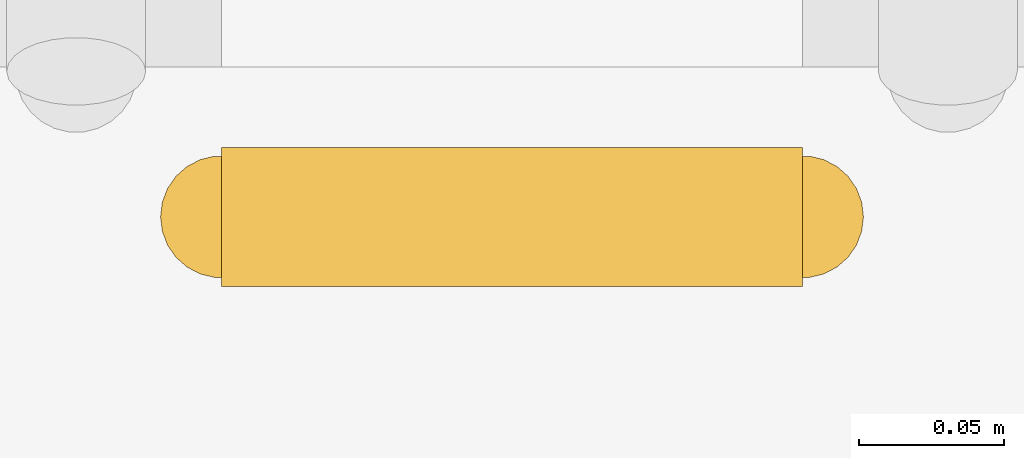
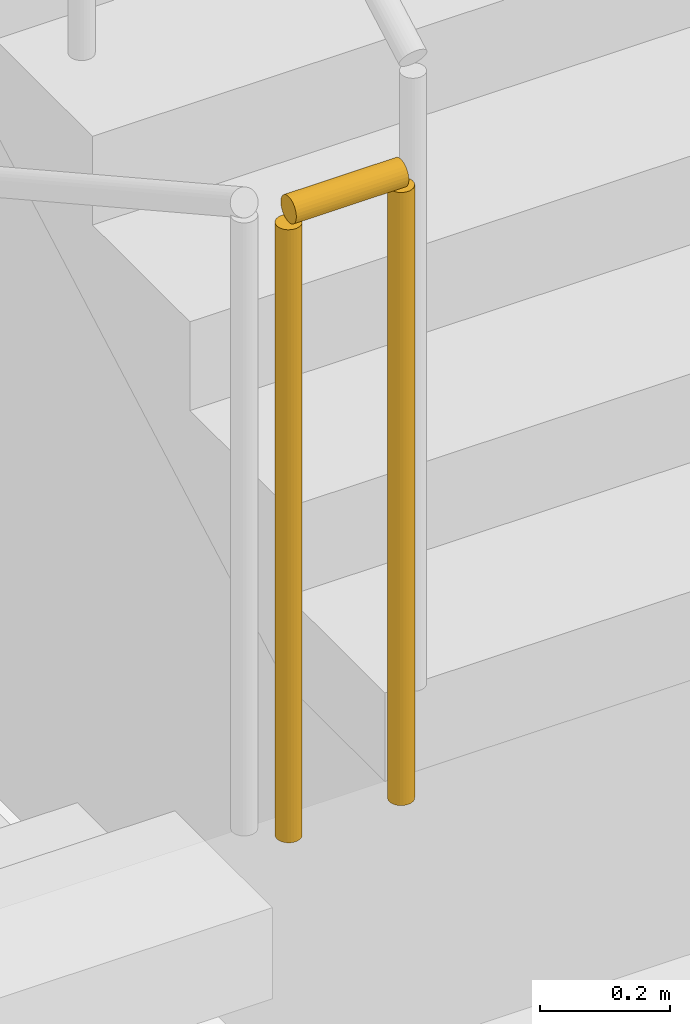
# One storey, part 14 of 20: 1 railing.
"""IFC4 building model written with IfcOpenShell, lengths in metres."""

import ifcopenshell
import ifcopenshell.guid

model = None  # the IFC model being written
_history = None  # IfcOwnerHistory: only IFC2X3 demands one
_inside = {}  # id of a spatial element -> (the spatial element, [elements in it])
_under = {}  # id of a project, library or spatial element -> (it, [spatial elements below it])
_declared = {}  # id of a project -> (the project, [libraries it declares])
_typed = {}  # id of a type object -> (the type object, [elements of that type])
_made_of = {}  # id of a material, layer set ... -> (it, [elements and type objects made of it])


def new_model(schema):
    """Start an empty IFC model of exactly this schema.

    Asked for "IFC4X3", IfcOpenShell would pick the latest addendum, in which some entities
    have other attributes; the version numbers below select the first issue.
    IFC2X3 requires an IfcOwnerHistory on every rooted entity: one is made here for all.
    """
    global model, _history
    if schema == "IFC4X3":
        model = ifcopenshell.file(schema_version=(4, 3, 0, 0))
    else:
        model = ifcopenshell.file(schema=schema)
    _inside.clear()
    _under.clear()
    _declared.clear()
    _typed.clear()
    _made_of.clear()
    _history = None
    if model.schema == "IFC2X3":
        org = make("IfcOrganization", Name="unknown")
        user = make(
            "IfcPersonAndOrganization",
            ThePerson=make("IfcPerson", FamilyName="unknown"),
            TheOrganization=org,
        )
        app = make(
            "IfcApplication",
            ApplicationDeveloper=org,
            Version="unknown",
            ApplicationFullName="unknown",
            ApplicationIdentifier="unknown",
        )
        _history = make(
            "IfcOwnerHistory",
            OwningUser=user,
            OwningApplication=app,
            ChangeAction="ADDED",
            CreationDate=0,
        )
    return model


def make(cls, **values):
    """One entity of the class cls with the attributes given. An attribute that is None is left unset."""
    return model.create_entity(
        cls, **{name: value for name, value in values.items() if value is not None}
    )


def rooted(cls, **values):
    """An entity with a GlobalId (a new one), such as an element, a storey or a relation."""
    return make(cls, GlobalId=ifcopenshell.guid.new(), OwnerHistory=_history, **values)


def si_unit(unit_type, name, prefix=None):
    """IfcSIUnit, for example si_unit("LENGTHUNIT", "METRE", prefix="MILLI")."""
    return make("IfcSIUnit", UnitType=unit_type, Prefix=prefix, Name=name)


def assignment(units):
    """IfcUnitAssignment: the units of a project."""
    return None if units is None else make("IfcUnitAssignment", Units=units)


def point(xyz):
    """IfcCartesianPoint."""
    return None if xyz is None else make("IfcCartesianPoint", Coordinates=xyz)


def direction(xyz):
    """IfcDirection."""
    return None if xyz is None else make("IfcDirection", DirectionRatios=xyz)


def frame(location, z_axis=None, x_axis=None):
    """IfcAxis2Placement3D, a coordinate frame: its origin and axes. An axis left out is left unset."""
    return make(
        "IfcAxis2Placement3D",
        Location=point(location),
        Axis=direction(z_axis),
        RefDirection=direction(x_axis),
    )


def frame_2d(location, x_axis=None):
    """IfcAxis2Placement2D, a coordinate frame in the plane: its origin and x axis."""
    return make(
        "IfcAxis2Placement2D", Location=point(location), RefDirection=direction(x_axis)
    )


def origin():
    """The frame at (0, 0, 0) with its axes left unset."""
    return frame((0.0, 0.0, 0.0))


def origin_2d():
    """The frame at (0, 0) in the plane with its x axis left unset."""
    return frame_2d((0.0, 0.0))


def place(relative_to, where):
    """IfcLocalPlacement: puts the frame where relative to a parent placement (None: the world)."""
    return make(
        "IfcLocalPlacement", PlacementRelTo=relative_to, RelativePlacement=where
    )


def context(
    kind, dimensions, precision=None, world=None, true_north=None, identifier=None
):
    """IfcGeometricRepresentationContext, for example the 3D "Model" context."""
    return make(
        "IfcGeometricRepresentationContext",
        ContextIdentifier=identifier,
        ContextType=kind,
        CoordinateSpaceDimension=dimensions,
        Precision=precision,
        WorldCoordinateSystem=world,
        TrueNorth=true_north,
    )


def subcontext(parent, identifier, kind, view, scale=None):
    """IfcGeometricRepresentationSubContext, for example "Body" below "Model"."""
    return make(
        "IfcGeometricRepresentationSubContext",
        ContextIdentifier=identifier,
        ContextType=kind,
        ParentContext=parent,
        TargetScale=scale,
        TargetView=view,
    )


def project(units=None, contexts=None):
    """IfcProject with its units and contexts."""
    return rooted(
        "IfcProject",
        Name="project",
        RepresentationContexts=contexts,
        UnitsInContext=assignment(units),
    )


def spatial(cls, under=None, at=None, **own):
    """A site, building, storey or space (cls), placed at a placement, below another one or the project."""
    s = rooted(cls, ObjectPlacement=at, **own)
    if under is not None:
        _under.setdefault(under.id(), (under, []))[1].append(s)
    return s


def profile(cls, at=None, kind="AREA", **sizes):
    """A parametric profile (cls). Its sizes go by their IFC names, for example OverallWidth=200.0."""
    return make(cls, ProfileType=kind, Position=at, **sizes)


def circle(**sizes):
    """IfcCircleProfileDef."""
    return profile("IfcCircleProfileDef", **sizes)


def extrude(swept, where, along, depth):
    """IfcExtrudedAreaSolid: the profile swept, set in the frame where, extruded along a direction by depth."""
    return make(
        "IfcExtrudedAreaSolid",
        SweptArea=swept,
        Position=where,
        ExtrudedDirection=direction(along),
        Depth=depth,
    )


def shape(context_of_items, identifier, shape_type, items):
    """IfcShapeRepresentation: the items that make up one representation, for example the "Body"."""
    return make(
        "IfcShapeRepresentation",
        ContextOfItems=context_of_items,
        RepresentationIdentifier=identifier,
        RepresentationType=shape_type,
        Items=items,
    )


def material(Name=None, Category=None):
    """IfcMaterial."""
    return make("IfcMaterial", Name=Name, Category=Category)


def made_of(thing, what):
    """Note that an element or type object is made of a material, layer set ...; save() writes the relation."""
    if what is not None:
        _made_of.setdefault(what.id(), (what, []))[1].append(thing)
    return thing


def type_object(cls, material=None, **own):
    """A type object (cls), such as IfcWallType, which elements share."""
    return made_of(rooted(cls, **own), material)


def element(
    cls,
    number,
    at=None,
    inside=None,
    cuts=None,
    type_object=None,
    material=None,
    context=None,
    identifier="Body",
    shape_type=None,
    held_by="IfcProductDefinitionShape",
    body=None,
    shapes=None,
    **own,
):
    """One element of the class cls, such as IfcWall. Its Tag is "e" and its number.

    at: its placement. inside: the storey or other place that contains it. cuts: it is an
    opening in that element (IfcRelVoidsElement). A single representation is given by context,
    identifier, shape_type and body (its items); several are given by shapes. held_by: the class
    of the entity that holds the representations. save() writes the other relations.
    """
    e = rooted(cls, Tag="e%d" % number, ObjectPlacement=at, **own)
    if body is not None:
        shapes = [shape(context, identifier, shape_type, body)]
    if shapes is not None:
        e.Representation = make(held_by, Representations=shapes)
    if inside is not None:
        _inside.setdefault(inside.id(), (inside, []))[1].append(e)
    if cuts is not None:
        rooted(
            "IfcRelVoidsElement", RelatingBuildingElement=cuts, RelatedOpeningElement=e
        )
    if type_object is not None:
        _typed.setdefault(type_object.id(), (type_object, []))[1].append(e)
    return made_of(e, material)


def aggregate(whole, parts):
    """IfcRelAggregates: a whole, such as a stair, and the parts it consists of."""
    return rooted("IfcRelAggregates", RelatingObject=whole, RelatedObjects=parts)


def save(model, path):
    """Write the relations noted so far, then the file.

    IfcRelAggregates (storeys below a building ...), IfcRelContainedInSpatialStructure (elements
    in a storey), IfcRelDefinesByType, IfcRelAssociatesMaterial and IfcRelDeclares: one each for
    every whole, place, type object, material and project.
    """
    for whole, parts in _under.values():
        aggregate(whole, parts)
    for where, things in _inside.values():
        rooted(
            "IfcRelContainedInSpatialStructure",
            RelatedElements=things,
            RelatingStructure=where,
        )
    for kind, things in _typed.values():
        rooted("IfcRelDefinesByType", RelatedObjects=things, RelatingType=kind)
    for what, things in _made_of.values():
        rooted("IfcRelAssociatesMaterial", RelatedObjects=things, RelatingMaterial=what)
    for by, libraries in _declared.values():
        rooted("IfcRelDeclares", RelatingContext=by, RelatedDefinitions=libraries)
    model.write(path)


model = new_model("IFC4")

# Units and contexts
model_context = context("Model", 3, precision=1e-05, world=origin(), true_north=direction((0.0, 1.0)))
body_context = subcontext(model_context, "Body", "Model", "MODEL_VIEW")
ifc_project = project(units=[si_unit("LENGTHUNIT", "METRE"), si_unit("AREAUNIT", "SQUARE_METRE"), si_unit("VOLUMEUNIT", "CUBIC_METRE"), si_unit("PLANEANGLEUNIT", "RADIAN"), si_unit("MASSUNIT", "GRAM", prefix="KILO")], contexts=[model_context])

# Site, building, storey
site_placement = place(None, origin())
site = spatial("IfcSite", under=ifc_project, at=site_placement, CompositionType="ELEMENT")
building_placement = place(site_placement, origin())
building = spatial("IfcBuilding", under=site, at=building_placement, Name="Qiaolan Cultural Towers", CompositionType="ELEMENT")
storey_placement = place(building_placement, frame((0.0, 0.0, -12.0)))
storey = spatial("IfcBuildingStorey", under=building, at=storey_placement, Name="B2", CompositionType="ELEMENT", Elevation=-12.0)

# Railing
ifc_material = material(Name="Galvanized Painted Steel Stair Guardrail", Category="steel")
railing_type = type_object("IfcRailingType", Name="RL-STAIR-GRD", PredefinedType="GUARDRAIL", material=ifc_material)
railing_placement = place(storey_placement, frame((23.739990234375, 14.39990234375, 3.0)))
element("IfcRailing", 1, at=railing_placement, inside=storey, type_object=railing_type, Name="B2 ST-W1 stair guard 2", PredefinedType="GUARDRAIL", context=body_context, shape_type="SweptSolid", body=[
    extrude(circle(Radius=0.02392578125, at=origin_2d()), frame((0.0, 0.0, 1.17578125), z_axis=(1.0, 0.0, 0.0), x_axis=(0.0, 1.0, 0.0)), (0.0, 0.0, 1.0), 0.199951171875),
    extrude(circle(Radius=0.02099609375, at=origin_2d()), origin(), (0.0, 0.0, 1.0), 1.15185546875),
    extrude(circle(Radius=0.02099609375, at=origin_2d()), frame((0.199951171875, 0.0, 0.0)), (0.0, 0.0, 1.0), 1.15185546875),
])

save(model, "model.ifc")
